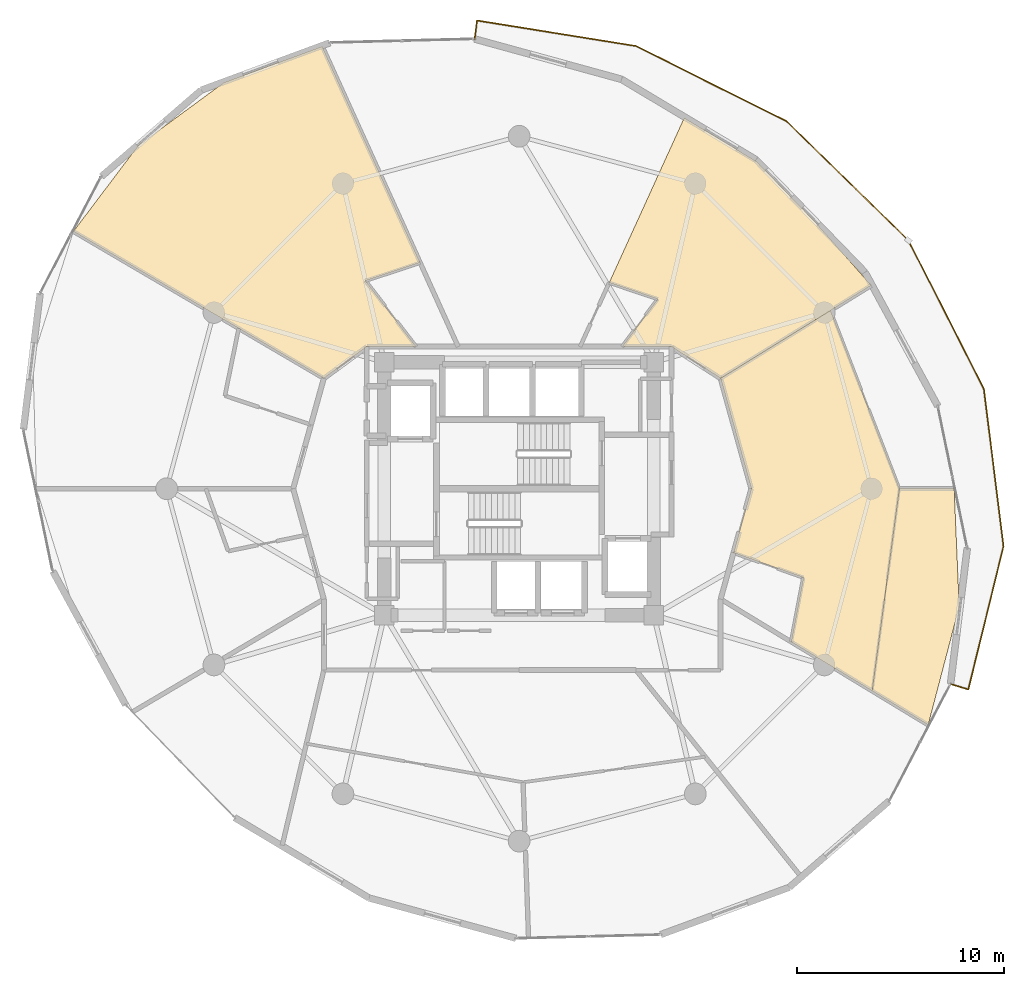
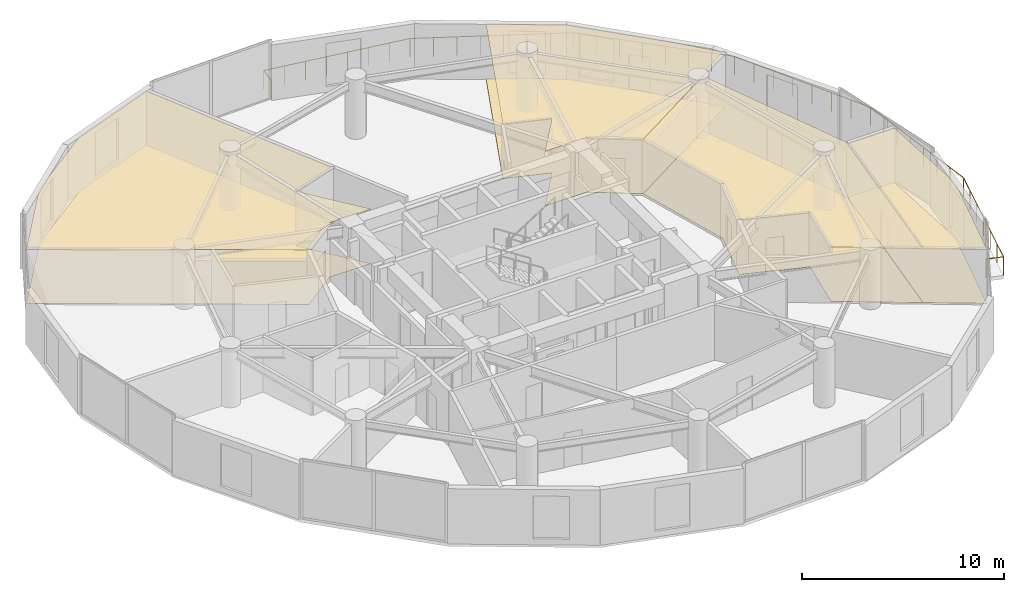
# One storey, part 25 of 25: 8 coverings, 1 railing.
"""IFC4 building model written with IfcOpenShell, lengths in metres."""

import ifcopenshell
import ifcopenshell.guid

model = None  # the IFC model being written
_history = None  # IfcOwnerHistory: only IFC2X3 demands one
_inside = {}  # id of a spatial element -> (the spatial element, [elements in it])
_under = {}  # id of a project, library or spatial element -> (it, [spatial elements below it])
_declared = {}  # id of a project -> (the project, [libraries it declares])
_typed = {}  # id of a type object -> (the type object, [elements of that type])
_made_of = {}  # id of a material, layer set ... -> (it, [elements and type objects made of it])


def new_model(schema):
    """Start an empty IFC model of exactly this schema.

    Asked for "IFC4X3", IfcOpenShell would pick the latest addendum, in which some entities
    have other attributes; the version numbers below select the first issue.
    IFC2X3 requires an IfcOwnerHistory on every rooted entity: one is made here for all.
    """
    global model, _history
    if schema == "IFC4X3":
        model = ifcopenshell.file(schema_version=(4, 3, 0, 0))
    else:
        model = ifcopenshell.file(schema=schema)
    _inside.clear()
    _under.clear()
    _declared.clear()
    _typed.clear()
    _made_of.clear()
    _history = None
    if model.schema == "IFC2X3":
        org = make("IfcOrganization", Name="unknown")
        user = make(
            "IfcPersonAndOrganization",
            ThePerson=make("IfcPerson", FamilyName="unknown"),
            TheOrganization=org,
        )
        app = make(
            "IfcApplication",
            ApplicationDeveloper=org,
            Version="unknown",
            ApplicationFullName="unknown",
            ApplicationIdentifier="unknown",
        )
        _history = make(
            "IfcOwnerHistory",
            OwningUser=user,
            OwningApplication=app,
            ChangeAction="ADDED",
            CreationDate=0,
        )
    return model


def make(cls, **values):
    """One entity of the class cls with the attributes given. An attribute that is None is left unset."""
    return model.create_entity(
        cls, **{name: value for name, value in values.items() if value is not None}
    )


def rooted(cls, **values):
    """An entity with a GlobalId (a new one), such as an element, a storey or a relation."""
    return make(cls, GlobalId=ifcopenshell.guid.new(), OwnerHistory=_history, **values)


def si_unit(unit_type, name, prefix=None):
    """IfcSIUnit, for example si_unit("LENGTHUNIT", "METRE", prefix="MILLI")."""
    return make("IfcSIUnit", UnitType=unit_type, Prefix=prefix, Name=name)


def assignment(units):
    """IfcUnitAssignment: the units of a project."""
    return None if units is None else make("IfcUnitAssignment", Units=units)


def point(xyz):
    """IfcCartesianPoint."""
    return None if xyz is None else make("IfcCartesianPoint", Coordinates=xyz)


def direction(xyz):
    """IfcDirection."""
    return None if xyz is None else make("IfcDirection", DirectionRatios=xyz)


def frame(location, z_axis=None, x_axis=None):
    """IfcAxis2Placement3D, a coordinate frame: its origin and axes. An axis left out is left unset."""
    return make(
        "IfcAxis2Placement3D",
        Location=point(location),
        Axis=direction(z_axis),
        RefDirection=direction(x_axis),
    )


def frame_2d(location, x_axis=None):
    """IfcAxis2Placement2D, a coordinate frame in the plane: its origin and x axis."""
    return make(
        "IfcAxis2Placement2D", Location=point(location), RefDirection=direction(x_axis)
    )


def origin():
    """The frame at (0, 0, 0) with its axes left unset."""
    return frame((0.0, 0.0, 0.0))


def origin_2d():
    """The frame at (0, 0) in the plane with its x axis left unset."""
    return frame_2d((0.0, 0.0))


def place(relative_to, where):
    """IfcLocalPlacement: puts the frame where relative to a parent placement (None: the world)."""
    return make(
        "IfcLocalPlacement", PlacementRelTo=relative_to, RelativePlacement=where
    )


def context(
    kind, dimensions, precision=None, world=None, true_north=None, identifier=None
):
    """IfcGeometricRepresentationContext, for example the 3D "Model" context."""
    return make(
        "IfcGeometricRepresentationContext",
        ContextIdentifier=identifier,
        ContextType=kind,
        CoordinateSpaceDimension=dimensions,
        Precision=precision,
        WorldCoordinateSystem=world,
        TrueNorth=true_north,
    )


def subcontext(parent, identifier, kind, view, scale=None):
    """IfcGeometricRepresentationSubContext, for example "Body" below "Model"."""
    return make(
        "IfcGeometricRepresentationSubContext",
        ContextIdentifier=identifier,
        ContextType=kind,
        ParentContext=parent,
        TargetScale=scale,
        TargetView=view,
    )


def project(units=None, contexts=None):
    """IfcProject with its units and contexts."""
    return rooted(
        "IfcProject",
        Name="project",
        RepresentationContexts=contexts,
        UnitsInContext=assignment(units),
    )


def spatial(cls, under=None, at=None, **own):
    """A site, building, storey or space (cls), placed at a placement, below another one or the project."""
    s = rooted(cls, ObjectPlacement=at, **own)
    if under is not None:
        _under.setdefault(under.id(), (under, []))[1].append(s)
    return s


def polyline(points):
    """IfcPolyline through the points."""
    return make("IfcPolyline", Points=[point(p) for p in points])


def profile(cls, at=None, kind="AREA", **sizes):
    """A parametric profile (cls). Its sizes go by their IFC names, for example OverallWidth=200.0."""
    return make(cls, ProfileType=kind, Position=at, **sizes)


def circle(**sizes):
    """IfcCircleProfileDef."""
    return profile("IfcCircleProfileDef", **sizes)


def outline(outer, holes=None, kind="AREA"):
    """IfcArbitraryClosedProfileDef: a profile drawn as a closed curve; with holes, ...WithVoids."""
    if holes is None:
        return make("IfcArbitraryClosedProfileDef", ProfileType=kind, OuterCurve=outer)
    return make(
        "IfcArbitraryProfileDefWithVoids",
        ProfileType=kind,
        OuterCurve=outer,
        InnerCurves=holes,
    )


def extrude(swept, where, along, depth):
    """IfcExtrudedAreaSolid: the profile swept, set in the frame where, extruded along a direction by depth."""
    return make(
        "IfcExtrudedAreaSolid",
        SweptArea=swept,
        Position=where,
        ExtrudedDirection=direction(along),
        Depth=depth,
    )


def shape(context_of_items, identifier, shape_type, items):
    """IfcShapeRepresentation: the items that make up one representation, for example the "Body"."""
    return make(
        "IfcShapeRepresentation",
        ContextOfItems=context_of_items,
        RepresentationIdentifier=identifier,
        RepresentationType=shape_type,
        Items=items,
    )


def material(Name=None, Category=None):
    """IfcMaterial."""
    return make("IfcMaterial", Name=Name, Category=Category)


def layer(
    of_material, thickness, ventilated=None, Name=None, Category=None, Priority=None
):
    """IfcMaterialLayer: one layer of a wall or slab, of a material (None: an air gap)."""
    return make(
        "IfcMaterialLayer",
        Material=of_material,
        LayerThickness=thickness,
        IsVentilated=ventilated,
        Name=Name,
        Category=Category,
        Priority=Priority,
    )


def layer_set(layers, Name=None):
    """IfcMaterialLayerSet."""
    return make("IfcMaterialLayerSet", MaterialLayers=layers, LayerSetName=Name)


def made_of(thing, what):
    """Note that an element or type object is made of a material, layer set ...; save() writes the relation."""
    if what is not None:
        _made_of.setdefault(what.id(), (what, []))[1].append(thing)
    return thing


def type_object(cls, material=None, **own):
    """A type object (cls), such as IfcWallType, which elements share."""
    return made_of(rooted(cls, **own), material)


def element(
    cls,
    number,
    at=None,
    inside=None,
    cuts=None,
    type_object=None,
    material=None,
    context=None,
    identifier="Body",
    shape_type=None,
    held_by="IfcProductDefinitionShape",
    body=None,
    shapes=None,
    **own,
):
    """One element of the class cls, such as IfcWall. Its Tag is "e" and its number.

    at: its placement. inside: the storey or other place that contains it. cuts: it is an
    opening in that element (IfcRelVoidsElement). A single representation is given by context,
    identifier, shape_type and body (its items); several are given by shapes. held_by: the class
    of the entity that holds the representations. save() writes the other relations.
    """
    e = rooted(cls, Tag="e%d" % number, ObjectPlacement=at, **own)
    if body is not None:
        shapes = [shape(context, identifier, shape_type, body)]
    if shapes is not None:
        e.Representation = make(held_by, Representations=shapes)
    if inside is not None:
        _inside.setdefault(inside.id(), (inside, []))[1].append(e)
    if cuts is not None:
        rooted(
            "IfcRelVoidsElement", RelatingBuildingElement=cuts, RelatedOpeningElement=e
        )
    if type_object is not None:
        _typed.setdefault(type_object.id(), (type_object, []))[1].append(e)
    return made_of(e, material)


def aggregate(whole, parts):
    """IfcRelAggregates: a whole, such as a stair, and the parts it consists of."""
    return rooted("IfcRelAggregates", RelatingObject=whole, RelatedObjects=parts)


def save(model, path):
    """Write the relations noted so far, then the file.

    IfcRelAggregates (storeys below a building ...), IfcRelContainedInSpatialStructure (elements
    in a storey), IfcRelDefinesByType, IfcRelAssociatesMaterial and IfcRelDeclares: one each for
    every whole, place, type object, material and project.
    """
    for whole, parts in _under.values():
        aggregate(whole, parts)
    for where, things in _inside.values():
        rooted(
            "IfcRelContainedInSpatialStructure",
            RelatedElements=things,
            RelatingStructure=where,
        )
    for kind, things in _typed.values():
        rooted("IfcRelDefinesByType", RelatedObjects=things, RelatingType=kind)
    for what, things in _made_of.values():
        rooted("IfcRelAssociatesMaterial", RelatedObjects=things, RelatingMaterial=what)
    for by, libraries in _declared.values():
        rooted("IfcRelDeclares", RelatingContext=by, RelatedDefinitions=libraries)
    model.write(path)


model = new_model("IFC4")

# Units and contexts
model_context = context("Model", 3, precision=1e-05, world=origin(), true_north=direction((0.0, 1.0)))
body_context = subcontext(model_context, "Body", "Model", "MODEL_VIEW")
ifc_project = project(units=[si_unit("LENGTHUNIT", "METRE"), si_unit("AREAUNIT", "SQUARE_METRE"), si_unit("VOLUMEUNIT", "CUBIC_METRE"), si_unit("PLANEANGLEUNIT", "RADIAN"), si_unit("MASSUNIT", "GRAM", prefix="KILO")], contexts=[model_context])

# Site, building, storey
site_placement = place(None, origin())
site = spatial("IfcSite", under=ifc_project, at=site_placement, CompositionType="ELEMENT")
building_placement = place(site_placement, origin())
building = spatial("IfcBuilding", under=site, at=building_placement, Name="Solvirekh Grand Hotel", CompositionType="ELEMENT")
storey_placement = place(building_placement, frame((0.0, 0.0, 127.800048828125)))
storey = spatial("IfcBuildingStorey", under=building, at=storey_placement, Name="L32", CompositionType="ELEMENT", Elevation=127.800048828125)

# Coverings
ifc_material_1 = material(Name="Acoustic Mineral Ceiling Tile")
ifc_layer_1 = layer(ifc_material_1, 0.02490234375)
ifc_layer_set_1 = layer_set([ifc_layer_1], Name="Acoustic Mineral Ceiling Tile")
covering_type_1 = type_object("IfcCoveringType", Name="Cov_Ceiling_Acoustic", PredefinedType="CEILING", material=ifc_layer_set_1)
covering_1_placement = place(storey_placement, frame((0.0, 0.0, 3.300048828125)))
element("IfcCovering", 1, at=covering_1_placement, inside=storey, type_object=covering_type_1, Name="L32 Deluxe Guestroom 3401 acoustic ceiling", PredefinedType="CEILING", context=body_context, shape_type="SweptSolid", body=[
    extrude(outline(polyline([(4.346923828125, 9.94189453125), (6.69189453125, 9.14990234375), (4.968994140625, 6.85009765625), (7.35009765625, 6.85009765625), (9.719970703125, 5.324951171875), (16.98388671875, 9.805908203125), (14.283935546875, 12.861083984375), (11.462890625, 15.777099609375), (7.966064453125, 17.89306640625), (4.346923828125, 9.94189453125)])), origin(), (0.0, 0.0, 1.0), 0.017822265625),
])
covering_2_placement = place(storey_placement, frame((0.0, 0.0, 3.300048828125)))
element("IfcCovering", 2, at=covering_2_placement, inside=storey, type_object=covering_type_1, Name="L32 Deluxe Guestroom 3402 acoustic ceiling", PredefinedType="CEILING", context=body_context, shape_type="SweptSolid", body=[
    extrude(outline(polyline([(-4.968994140625, 6.85009765625), (-7.4130859375, 10.031982421875), (-4.777099609375, 10.906005859375), (-2.93994140625, 6.85009765625), (-9.4990234375, 21.3359375), (-14.236083984375, 19.593994140625), (-18.3779296875, 16.548095703125), (-21.4990234375, 12.412109375), (-9.419921875, 5.324951171875), (-7.35009765625, 6.85009765625), (-4.968994140625, 6.85009765625)])), origin(), (0.0, 0.0, 1.0), 0.017822265625),
])
covering_3_placement = place(storey_placement, frame((0.0, 0.0, 3.300048828125)))
element("IfcCovering", 3, at=covering_3_placement, inside=storey, type_object=covering_type_1, Name="L32 Executive Suite 3405 Living Room acoustic ceiling", PredefinedType="CEILING", context=body_context, shape_type="SweptSolid", body=[
    extrude(outline(polyline([(13.714111328125, -4.284912109375), (13.1240234375, -7.387939453125), (17.029052734375, -9.7548828125), (18.343017578125, 0.0), (15.02294921875, 8.595947265625), (9.719970703125, 5.324951171875), (11.199951171875, 0.0), (10.342041015625, -3.089111328125), (13.714111328125, -4.284912109375)])), origin(), (0.0, 0.0, 1.0), 0.017822265625),
])
covering_4_placement = place(storey_placement, frame((0.0, 0.0, 3.300048828125)))
element("IfcCovering", 4, at=covering_4_placement, inside=storey, type_object=covering_type_1, Name="L32 Executive Suite 3405 Master Bedroom acoustic ceiling", PredefinedType="CEILING", context=body_context, shape_type="SweptSolid", body=[
    extrude(outline(polyline([(19.73291015625, -11.39306640625), (21.22998046875, -5.68896484375), (20.985107421875, 0.0), (18.343017578125, 0.0), (17.029052734375, -9.7548828125), (19.73291015625, -11.39306640625)])), origin(), (0.0, 0.0, 1.0), 0.017822265625),
])
ifc_material_2 = material(Name="Porcelain Stoneware Flooring", Category="masonry")
ifc_layer_2 = layer(ifc_material_2, 0.030029296875)
ifc_layer_set_2 = layer_set([ifc_layer_2], Name="Porcelain Stoneware Flooring")
covering_type_2 = type_object("IfcCoveringType", Name="Cov_Floor_Stone", PredefinedType="FLOORING", material=ifc_layer_set_2)
covering_5_placement = place(storey_placement, origin())
element("IfcCovering", 5, at=covering_5_placement, inside=storey, type_object=covering_type_2, Name="L32 Deluxe Guestroom 3401 polished granite flooring", PredefinedType="FLOORING", context=body_context, shape_type="SweptSolid", body=[
    extrude(outline(polyline([(4.346923828125, 9.94189453125), (6.69189453125, 9.14990234375), (4.968994140625, 6.85009765625), (7.35009765625, 6.85009765625), (9.719970703125, 5.324951171875), (16.98388671875, 9.805908203125), (14.283935546875, 12.861083984375), (11.462890625, 15.777099609375), (7.966064453125, 17.89306640625), (4.346923828125, 9.94189453125)])), origin(), (0.0, 0.0, 1.0), 0.02001953125),
])
covering_6_placement = place(storey_placement, origin())
element("IfcCovering", 6, at=covering_6_placement, inside=storey, type_object=covering_type_2, Name="L32 Deluxe Guestroom 3402 polished granite flooring", PredefinedType="FLOORING", context=body_context, shape_type="SweptSolid", body=[
    extrude(outline(polyline([(-4.968994140625, 6.85009765625), (-7.4130859375, 10.031982421875), (-4.777099609375, 10.906005859375), (-2.93994140625, 6.85009765625), (-9.4990234375, 21.3359375), (-14.236083984375, 19.593994140625), (-18.3779296875, 16.548095703125), (-21.4990234375, 12.412109375), (-9.419921875, 5.324951171875), (-7.35009765625, 6.85009765625), (-4.968994140625, 6.85009765625)])), origin(), (0.0, 0.0, 1.0), 0.02001953125),
])
covering_7_placement = place(storey_placement, origin())
element("IfcCovering", 7, at=covering_7_placement, inside=storey, type_object=covering_type_2, Name="L32 Executive Suite 3405 Living Room polished granite flooring", PredefinedType="FLOORING", context=body_context, shape_type="SweptSolid", body=[
    extrude(outline(polyline([(13.714111328125, -4.284912109375), (13.1240234375, -7.387939453125), (17.029052734375, -9.7548828125), (18.343017578125, 0.0), (15.02294921875, 8.595947265625), (9.719970703125, 5.324951171875), (11.199951171875, 0.0), (10.342041015625, -3.089111328125), (13.714111328125, -4.284912109375)])), origin(), (0.0, 0.0, 1.0), 0.02001953125),
])
covering_8_placement = place(storey_placement, origin())
element("IfcCovering", 8, at=covering_8_placement, inside=storey, type_object=covering_type_2, Name="L32 Executive Suite 3405 Master Bedroom polished granite flooring", PredefinedType="FLOORING", context=body_context, shape_type="SweptSolid", body=[
    extrude(outline(polyline([(19.73291015625, -11.39306640625), (21.22998046875, -5.68896484375), (20.985107421875, 0.0), (18.343017578125, 0.0), (17.029052734375, -9.7548828125), (19.73291015625, -11.39306640625)])), origin(), (0.0, 0.0, 1.0), 0.02001953125),
])

# Railing
ifc_material_3 = material(Name="Anodized Bronze Aluminium 6063-T6", Category="aluminium")
railing_type = type_object("IfcRailingType", Name="Guard_ExtGlass_1150", PredefinedType="BALUSTRADE", material=ifc_material_3)
railing_placement = place(storey_placement, frame((20.81103515625, -9.422119140625, 0.0)))
element("IfcRailing", 9, at=railing_placement, inside=storey, type_object=railing_type, Name="L32 balc perimeter glass balustrade", PredefinedType="BALUSTRADE", context=body_context, shape_type="SweptSolid", body=[
    extrude(circle(Radius=0.02392578125, at=origin_2d()), frame((0.0, 0.0, 1.1259765625), z_axis=(0.955679215912, -0.294409979916, 0.0), x_axis=(0.294409979916, 0.955679215912, 0.0)), (0.0, 0.0, 1.0), 0.899658203125),
    extrude(circle(Radius=0.02392578125, at=origin_2d()), frame((0.85986328125, -0.264892578125, 1.1259765625), z_axis=(0.2382777195, 0.971197059504, 0.0), x_axis=(-0.971197059504, 0.2382777195, 0.0)), (0.0, 0.0, 1.0), 7.11376953125),
    extrude(circle(Radius=0.02392578125, at=origin_2d()), frame((2.554931640625, 6.64404296875, 1.1259765625), z_axis=(-0.123590686716, 0.992333281794, 0.0), x_axis=(-0.992333281794, -0.123590686716, 0.0)), (0.0, 0.0, 1.0), 7.646728515625),
    extrude(circle(Radius=0.02392578125, at=origin_2d()), frame((1.60986328125, 14.232177734375, 1.1259765625), z_axis=(-0.452862010217, 0.891580618734, 0.0), x_axis=(-0.891580618734, -0.452862010217, 0.0)), (0.0, 0.0, 1.0), 8.0439453125),
    extrude(circle(Radius=0.02392578125, at=origin_2d()), frame((-2.032958984375, 21.404052734375, 1.1259765625), z_axis=(-0.714905034974, 0.699221560715, 0.0), x_axis=(-0.699221560715, -0.714905034974, 0.0)), (0.0, 0.0, 1.0), 8.21923828125),
    extrude(circle(Radius=0.02392578125, at=origin_2d()), frame((-7.908935546875, 27.151123046875, 1.1259765625), z_axis=(-0.89487737513, 0.446312092018, 0.0), x_axis=(-0.446312092018, -0.89487737513, 0.0)), (0.0, 0.0, 1.0), 8.12646484375),
    extrude(circle(Radius=0.02392578125, at=origin_2d()), frame((-15.18115234375, 30.778076171875, 1.1259765625), z_axis=(-0.987358433583, 0.158503386814, 0.0), x_axis=(-0.158503386814, -0.987358433583, 0.0)), (0.0, 0.0, 1.0), 7.760009765625),
    extrude(circle(Radius=0.02392578125, at=origin_2d()), frame((-22.843017578125, 32.008056640625, 1.1259765625), z_axis=(-0.125603844996, -0.992080477644, 0.0), x_axis=(0.992080477644, -0.125603844996, 0.0)), (0.0, 0.0, 1.0), 0.89990234375),
    extrude(circle(Radius=0.02099609375, at=origin_2d()), origin(), (0.0, 0.0, 1.0), 1.101806640625),
    extrude(circle(Radius=0.02099609375, at=origin_2d()), frame((0.85986328125, -0.264892578125, 0.0)), (0.0, 0.0, 1.0), 1.101806640625),
    extrude(circle(Radius=0.02099609375, at=origin_2d()), frame((1.142333984375, 0.88671875, 0.0)), (0.0, 0.0, 1.0), 1.101806640625),
    extrude(circle(Radius=0.02099609375, at=origin_2d()), frame((1.4248046875, 2.0380859375, 0.0)), (0.0, 0.0, 1.0), 1.101806640625),
    extrude(circle(Radius=0.02099609375, at=origin_2d()), frame((1.70751953125, 3.189453125, 0.0)), (0.0, 0.0, 1.0), 1.101806640625),
    extrude(circle(Radius=0.02099609375, at=origin_2d()), frame((1.989990234375, 4.341064453125, 0.0)), (0.0, 0.0, 1.0), 1.101806640625),
    extrude(circle(Radius=0.02099609375, at=origin_2d()), frame((2.2724609375, 5.49267578125, 0.0)), (0.0, 0.0, 1.0), 1.101806640625),
    extrude(circle(Radius=0.02099609375, at=origin_2d()), frame((2.554931640625, 6.64404296875, 0.0)), (0.0, 0.0, 1.0), 1.101806640625),
    extrude(circle(Radius=0.02099609375, at=origin_2d()), frame((2.419921875, 7.72802734375, 0.0)), (0.0, 0.0, 1.0), 1.101806640625),
    extrude(circle(Radius=0.02099609375, at=origin_2d()), frame((2.284912109375, 8.81201171875, 0.0)), (0.0, 0.0, 1.0), 1.101806640625),
    extrude(circle(Radius=0.02099609375, at=origin_2d()), frame((2.14990234375, 9.89599609375, 0.0)), (0.0, 0.0, 1.0), 1.101806640625),
    extrude(circle(Radius=0.02099609375, at=origin_2d()), frame((2.014892578125, 10.980224609375, 0.0)), (0.0, 0.0, 1.0), 1.101806640625),
    extrude(circle(Radius=0.02099609375, at=origin_2d()), frame((1.8798828125, 12.064208984375, 0.0)), (0.0, 0.0, 1.0), 1.101806640625),
    extrude(circle(Radius=0.02099609375, at=origin_2d()), frame((1.744873046875, 13.148193359375, 0.0)), (0.0, 0.0, 1.0), 1.101806640625),
    extrude(circle(Radius=0.02099609375, at=origin_2d()), frame((1.60986328125, 14.232177734375, 0.0)), (0.0, 0.0, 1.0), 1.101806640625),
    extrude(circle(Radius=0.02099609375, at=origin_2d()), frame((1.08935546875, 15.2568359375, 0.0)), (0.0, 0.0, 1.0), 1.101806640625),
    extrude(circle(Radius=0.02099609375, at=origin_2d()), frame((0.569091796875, 16.28125, 0.0)), (0.0, 0.0, 1.0), 1.101806640625),
    extrude(circle(Radius=0.02099609375, at=origin_2d()), frame((0.048583984375, 17.305908203125, 0.0)), (0.0, 0.0, 1.0), 1.101806640625),
    extrude(circle(Radius=0.02099609375, at=origin_2d()), frame((-0.4716796875, 18.330322265625, 0.0)), (0.0, 0.0, 1.0), 1.101806640625),
    extrude(circle(Radius=0.02099609375, at=origin_2d()), frame((-0.9921875, 19.35498046875, 0.0)), (0.0, 0.0, 1.0), 1.101806640625),
    extrude(circle(Radius=0.02099609375, at=origin_2d()), frame((-1.512451171875, 20.37939453125, 0.0)), (0.0, 0.0, 1.0), 1.101806640625),
    extrude(circle(Radius=0.02099609375, at=origin_2d()), frame((-2.032958984375, 21.404052734375, 0.0)), (0.0, 0.0, 1.0), 1.101806640625),
    extrude(circle(Radius=0.02099609375, at=origin_2d()), frame((-2.872314453125, 22.22509765625, 0.0)), (0.0, 0.0, 1.0), 1.101806640625),
    extrude(circle(Radius=0.02099609375, at=origin_2d()), frame((-3.7119140625, 23.046142578125, 0.0)), (0.0, 0.0, 1.0), 1.101806640625),
    extrude(circle(Radius=0.02099609375, at=origin_2d()), frame((-4.55126953125, 23.8671875, 0.0)), (0.0, 0.0, 1.0), 1.101806640625),
    extrude(circle(Radius=0.02099609375, at=origin_2d()), frame((-5.390625, 24.68798828125, 0.0)), (0.0, 0.0, 1.0), 1.101806640625),
    extrude(circle(Radius=0.02099609375, at=origin_2d()), frame((-6.22998046875, 25.509033203125, 0.0)), (0.0, 0.0, 1.0), 1.101806640625),
    extrude(circle(Radius=0.02099609375, at=origin_2d()), frame((-7.069580078125, 26.330078125, 0.0)), (0.0, 0.0, 1.0), 1.101806640625),
    extrude(circle(Radius=0.02099609375, at=origin_2d()), frame((-7.908935546875, 27.151123046875, 0.0)), (0.0, 0.0, 1.0), 1.101806640625),
    extrude(circle(Radius=0.02099609375, at=origin_2d()), frame((-8.94775390625, 27.669189453125, 0.0)), (0.0, 0.0, 1.0), 1.101806640625),
    extrude(circle(Radius=0.02099609375, at=origin_2d()), frame((-9.98681640625, 28.1875, 0.0)), (0.0, 0.0, 1.0), 1.101806640625),
    extrude(circle(Radius=0.02099609375, at=origin_2d()), frame((-11.025634765625, 28.70556640625, 0.0)), (0.0, 0.0, 1.0), 1.101806640625),
    extrude(circle(Radius=0.02099609375, at=origin_2d()), frame((-12.064453125, 29.2236328125, 0.0)), (0.0, 0.0, 1.0), 1.101806640625),
    extrude(circle(Radius=0.02099609375, at=origin_2d()), frame((-13.103271484375, 29.74169921875, 0.0)), (0.0, 0.0, 1.0), 1.101806640625),
    extrude(circle(Radius=0.02099609375, at=origin_2d()), frame((-14.142333984375, 30.260009765625, 0.0)), (0.0, 0.0, 1.0), 1.101806640625),
    extrude(circle(Radius=0.02099609375, at=origin_2d()), frame((-15.18115234375, 30.778076171875, 0.0)), (0.0, 0.0, 1.0), 1.101806640625),
    extrude(circle(Radius=0.02099609375, at=origin_2d()), frame((-16.275634765625, 30.953857421875, 0.0)), (0.0, 0.0, 1.0), 1.101806640625),
    extrude(circle(Radius=0.02099609375, at=origin_2d()), frame((-17.370361328125, 31.12939453125, 0.0)), (0.0, 0.0, 1.0), 1.101806640625),
    extrude(circle(Radius=0.02099609375, at=origin_2d()), frame((-18.46484375, 31.30517578125, 0.0)), (0.0, 0.0, 1.0), 1.101806640625),
    extrude(circle(Radius=0.02099609375, at=origin_2d()), frame((-19.559326171875, 31.48095703125, 0.0)), (0.0, 0.0, 1.0), 1.101806640625),
    extrude(circle(Radius=0.02099609375, at=origin_2d()), frame((-20.65380859375, 31.65673828125, 0.0)), (0.0, 0.0, 1.0), 1.101806640625),
    extrude(circle(Radius=0.02099609375, at=origin_2d()), frame((-21.74853515625, 31.832275390625, 0.0)), (0.0, 0.0, 1.0), 1.101806640625),
    extrude(circle(Radius=0.02099609375, at=origin_2d()), frame((-22.843017578125, 32.008056640625, 0.0)), (0.0, 0.0, 1.0), 1.101806640625),
    extrude(circle(Radius=0.02099609375, at=origin_2d()), frame((-22.9560546875, 31.115234375, 0.0)), (0.0, 0.0, 1.0), 1.101806640625),
])

save(model, "model.ifc")
